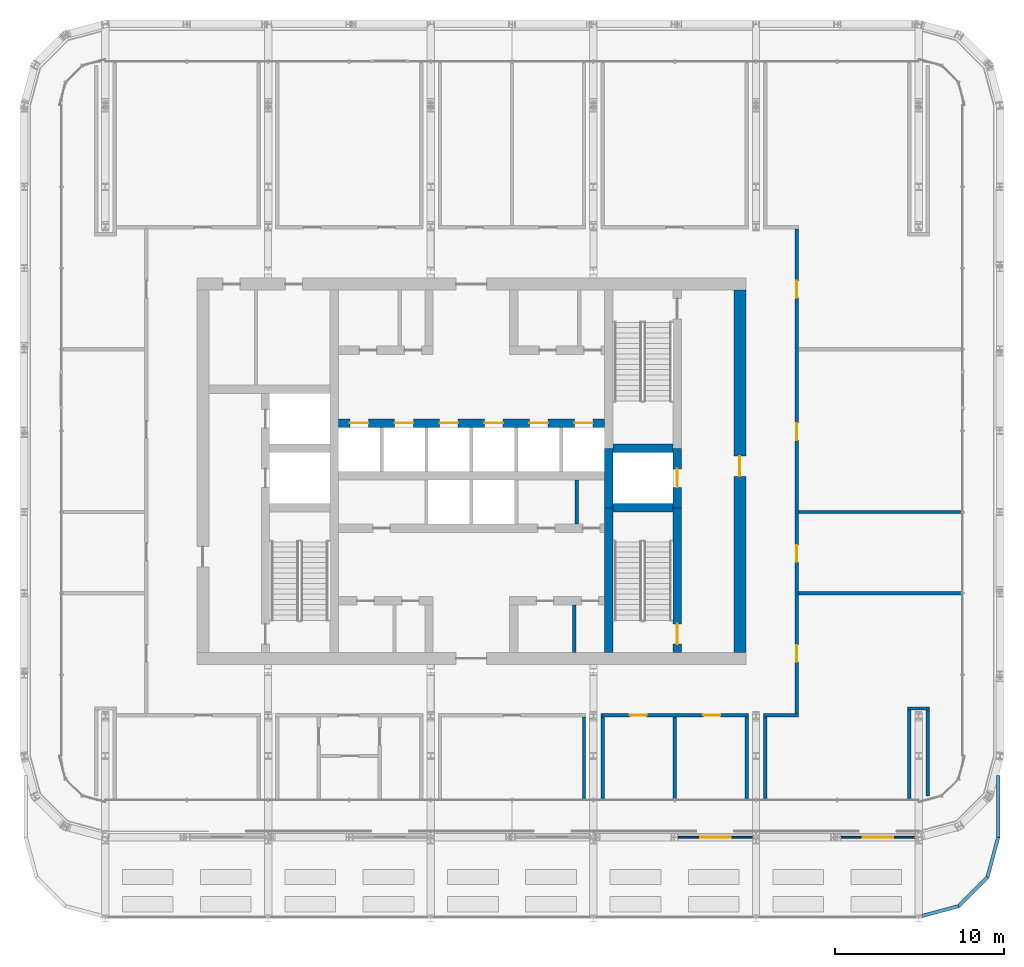
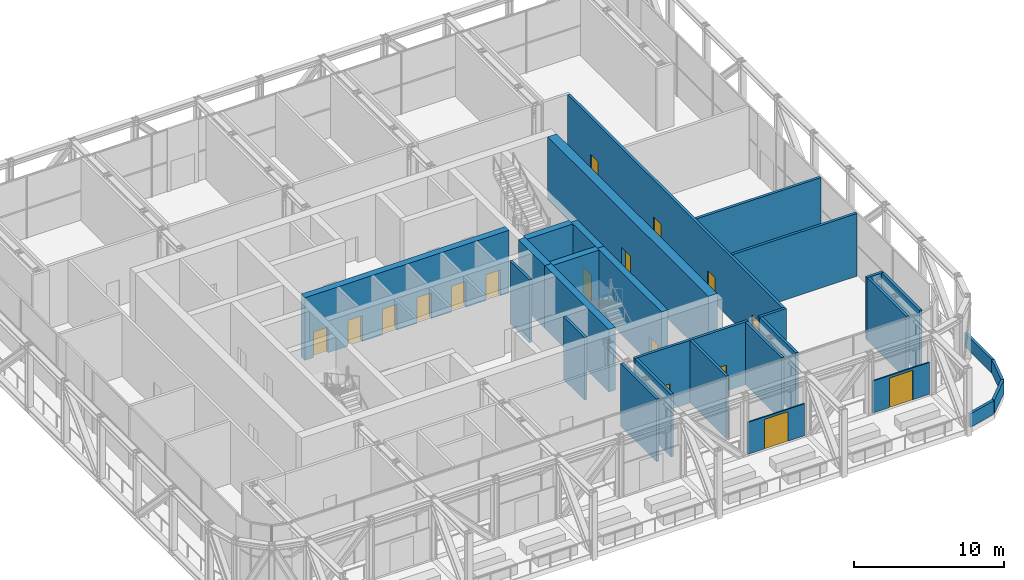
# One storey, part 15 of 22: 29 walls, 17 doors, 17 openings.
"""IFC4 building model written with IfcOpenShell, lengths in metres."""

from ifc_helpers import new_model, si_unit, direction, frame, frame_2d, origin, place, context, subcontext, project, spatial, rectangle, extrude, material, layer, layer_set, type_object, element, fill, save


model = new_model("IFC4")

# Units and contexts
model_context = context("Model", 3, precision=1e-05, world=origin(), true_north=direction((0.0, 1.0)))
body_context = subcontext(model_context, "Body", "Model", "MODEL_VIEW")
ifc_project = project(units=[si_unit("LENGTHUNIT", "METRE"), si_unit("AREAUNIT", "SQUARE_METRE"), si_unit("VOLUMEUNIT", "CUBIC_METRE"), si_unit("PLANEANGLEUNIT", "RADIAN"), si_unit("MASSUNIT", "GRAM", prefix="KILO")], contexts=[model_context])

# Site, building, storey
site_placement = place(None, origin())
site = spatial("IfcSite", under=ifc_project, at=site_placement, CompositionType="ELEMENT")
building_placement = place(site_placement, origin())
building = spatial("IfcBuilding", under=site, at=building_placement, Name="Madar Terraces", CompositionType="ELEMENT")
storey_placement = place(building_placement, frame((0.0, 0.0, 203.39990234375)))
storey = spatial("IfcBuildingStorey", under=building, at=storey_placement, Name="L53", CompositionType="ELEMENT", Elevation=203.39990234375)

# Walls
ifc_material_1 = material(Name="Concrete C60/75", Category="concrete")
ifc_layer_1 = layer(ifc_material_1, 0.5)
ifc_layer_set_1 = layer_set([ifc_layer_1], Name="Concrete C60/75 (CIW4 RC wall 500)")
wall_type_1 = type_object("IfcWallType", Name="CIW4 RC wall 500", PredefinedType="SHEAR", material=ifc_layer_set_1)
wall_1_placement = place(storey_placement, frame((39.300048828125, 15.699951171875, 0.0), z_axis=(0.0, 0.0, 1.0), x_axis=(0.0, 1.0, 0.0)))
element("IfcWall", 1, at=wall_1_placement, inside=storey, type_object=wall_type_1, Name="CORE SHAFT WALL", PredefinedType="SHEAR", context=body_context, shape_type="SweptSolid", body=[
    extrude(rectangle(XDim=8.550048828125, YDim=0.5, at=frame_2d((4.27490234375, 0.0))), origin(), (0.0, 0.0, 1.0), 5.10009765625),
])
wall_2_placement = place(storey_placement, frame((39.300048828125, 24.25, 0.0), z_axis=(0.0, 0.0, 1.0), x_axis=(0.0, 1.0, 0.0)))
element("IfcWall", 2, at=wall_2_placement, inside=storey, type_object=wall_type_1, Name="CORE SHAFT WALL", PredefinedType="SHEAR", context=body_context, shape_type="SweptSolid", body=[
    extrude(rectangle(XDim=3.5, YDim=0.5, at=frame_2d((1.75, 0.0))), origin(), (0.0, 0.0, 1.0), 5.10009765625),
])

# Wall, opening, door
wall_3_placement = place(storey_placement, frame((43.35009765625, 15.699951171875, 0.0), z_axis=(0.0, 0.0, 1.0), x_axis=(0.0, 1.0, 0.0)))
wall_3 = element("IfcWall", 3, at=wall_3_placement, inside=storey, type_object=wall_type_1, Name="CORE SHAFT WALL", PredefinedType="SHEAR", context=body_context, shape_type="SweptSolid", body=[
    extrude(rectangle(XDim=8.550048828125, YDim=0.5, at=frame_2d((4.27490234375, 0.0))), origin(), (0.0, 0.0, 1.0), 5.10009765625),
])
opening_1_placement = place(wall_3_placement, frame((0.5, 0.0, 0.0)))
opening_1 = element("IfcOpeningElement", 4, at=opening_1_placement, cuts=wall_3, Name="Opening SD1", PredefinedType="OPENING", context=body_context, shape_type="SweptSolid", body=[
    extrude(rectangle(XDim=1.199951171875, YDim=2.10009765625, at=frame_2d((0.60009765625, 1.050048828125))), frame((0.0, 0.260009765625, 0.0), z_axis=(0.0, -1.0, 0.0), x_axis=(1.0, 0.0, 0.0)), (0.0, 0.0, 1.0), 0.52001953125),
])
ifc_material_2 = material(Name="Steel door leaf", Category="steel")
door_type_1 = type_object("IfcDoorType", Name="Stair door 1200 x 2100", OperationType="NOTDEFINED", PredefinedType="DOOR", material=ifc_material_2)
door_1_placement = place(opening_1_placement, origin())
door_1 = element("IfcDoor", 5, at=door_1_placement, inside=storey, type_object=door_type_1, Name="STAIR DOOR", OperationType="SINGLE_SWING_RIGHT", OverallHeight=2.10009765625, OverallWidth=1.199951171875, PredefinedType="DOOR", context=body_context, shape_type="SweptSolid", body=[
    extrude(rectangle(XDim=1.199951171875, YDim=2.10009765625, at=frame_2d((0.60009765625, 1.050048828125))), frame((0.0, 0.02490234375, 0.0), z_axis=(0.0, -1.0, 0.0), x_axis=(1.0, 0.0, 0.0)), (0.0, 0.0, 1.0), 0.050048828125),
])
fill(opening_1, door_1)

wall_4_placement = place(storey_placement, frame((43.35009765625, 24.25, 0.0), z_axis=(0.0, 0.0, 1.0), x_axis=(0.0, 1.0, 0.0)))
wall_4 = element("IfcWall", 6, at=wall_4_placement, inside=storey, type_object=wall_type_1, Name="CORE SHAFT WALL", PredefinedType="SHEAR", context=body_context, shape_type="SweptSolid", body=[
    extrude(rectangle(XDim=3.5, YDim=0.5, at=frame_2d((1.75, 0.0))), origin(), (0.0, 0.0, 1.0), 5.10009765625),
])
opening_2_placement = place(wall_4_placement, frame((1.199951171875, 0.0, 0.0)))
opening_2 = element("IfcOpeningElement", 7, at=opening_2_placement, cuts=wall_4, Name="Opening LD", PredefinedType="OPENING", context=body_context, shape_type="SweptSolid", body=[
    extrude(rectangle(XDim=1.10009765625, YDim=2.10009765625, at=frame_2d((0.550048828125, 1.050048828125))), frame((0.0, 0.260009765625, 0.0), z_axis=(0.0, -1.0, 0.0), x_axis=(1.0, 0.0, 0.0)), (0.0, 0.0, 1.0), 0.52001953125),
])
ifc_material_3 = material(Name="Stainless steel panel", Category="steel")
door_type_2 = type_object("IfcDoorType", Name="Lift landing door 1100 x 2100", OperationType="DOUBLE_DOOR_SLIDING", PredefinedType="DOOR", material=ifc_material_3)
door_2_placement = place(opening_2_placement, origin())
door_2 = element("IfcDoor", 8, at=door_2_placement, inside=storey, type_object=door_type_2, Name="LIFT LANDING DOOR", OperationType="DOUBLE_DOOR_SLIDING", OverallHeight=2.10009765625, OverallWidth=1.10009765625, PredefinedType="DOOR", context=body_context, shape_type="SweptSolid", body=[
    extrude(rectangle(XDim=1.10009765625, YDim=2.10009765625, at=frame_2d((0.550048828125, 1.050048828125))), frame((0.0, 0.02490234375, 0.0), z_axis=(0.0, -1.0, 0.0), x_axis=(1.0, 0.0, 0.0)), (0.0, 0.0, 1.0), 0.050048828125),
])
fill(opening_2, door_2)

# Walls
for number, where, z_axis, x_axis, name in (
    (9, (39.550048828125, 24.25, 0.0), (0.0, 0.0, 1.0), (1.0, 0.0, 0.0), "CORE SHAFT WALL"),
    (10, (39.550048828125, 27.75, 0.0), (0.0, 0.0, 1.0), (1.0, 0.0, 0.0), "CORE SHAFT WALL"),
):
    element("IfcWall", number, at=place(storey_placement, frame(where, z_axis=z_axis, x_axis=x_axis)), inside=storey, type_object=wall_type_1, Name=name, PredefinedType="SHEAR", context=body_context, shape_type="SweptSolid", body=[
        extrude(rectangle(XDim=3.550048828125, YDim=0.5, at=frame_2d((1.77490234375, 0.0))), origin(), (0.0, 0.0, 1.0), 5.10009765625),
    ])

# Wall, openings, doors
wall_5_placement = place(storey_placement, frame((23.35009765625, 29.25, 0.0), z_axis=(0.0, 0.0, 1.0), x_axis=(1.0, 0.0, 0.0)))
wall_5 = element("IfcWall", 11, at=wall_5_placement, inside=storey, type_object=wall_type_1, Name="CORE SHAFT WALL", PredefinedType="SHEAR", context=body_context, shape_type="SweptSolid", body=[
    extrude(rectangle(XDim=15.699951171875, YDim=0.5, at=frame_2d((7.85009765625, 0.0))), origin(), (0.0, 0.0, 1.0), 5.10009765625),
])
opening_3_placement = place(wall_5_placement, frame((0.675048828125, 0.0, 0.0)))
opening_3 = element("IfcOpeningElement", 12, at=opening_3_placement, cuts=wall_5, Name="Opening LD", PredefinedType="OPENING", context=body_context, shape_type="SweptSolid", body=[
    extrude(rectangle(XDim=1.10009765625, YDim=2.10009765625, at=frame_2d((0.550048828125, 1.050048828125))), frame((0.0, 0.260009765625, 0.0), z_axis=(0.0, -1.0, 0.0), x_axis=(1.0, 0.0, 0.0)), (0.0, 0.0, 1.0), 0.52001953125),
])
opening_4_placement = place(wall_5_placement, frame((3.324951171875, 0.0, 0.0)))
opening_4 = element("IfcOpeningElement", 13, at=opening_4_placement, cuts=wall_5, Name="Opening LD", PredefinedType="OPENING", context=body_context, shape_type="SweptSolid", body=[
    extrude(rectangle(XDim=1.10009765625, YDim=2.10009765625, at=frame_2d((0.550048828125, 1.050048828125))), frame((0.0, 0.260009765625, 0.0), z_axis=(0.0, -1.0, 0.0), x_axis=(1.0, 0.0, 0.0)), (0.0, 0.0, 1.0), 0.52001953125),
])
opening_5_placement = place(wall_5_placement, frame((5.97509765625, 0.0, 0.0)))
opening_5 = element("IfcOpeningElement", 14, at=opening_5_placement, cuts=wall_5, Name="Opening LD", PredefinedType="OPENING", context=body_context, shape_type="SweptSolid", body=[
    extrude(rectangle(XDim=1.10009765625, YDim=2.10009765625, at=frame_2d((0.550048828125, 1.050048828125))), frame((0.0, 0.260009765625, 0.0), z_axis=(0.0, -1.0, 0.0), x_axis=(1.0, 0.0, 0.0)), (0.0, 0.0, 1.0), 0.52001953125),
])
opening_6_placement = place(wall_5_placement, frame((8.625, 0.0, 0.0)))
opening_6 = element("IfcOpeningElement", 15, at=opening_6_placement, cuts=wall_5, Name="Opening LD", PredefinedType="OPENING", context=body_context, shape_type="SweptSolid", body=[
    extrude(rectangle(XDim=1.10009765625, YDim=2.10009765625, at=frame_2d((0.550048828125, 1.050048828125))), frame((0.0, 0.260009765625, 0.0), z_axis=(0.0, -1.0, 0.0), x_axis=(1.0, 0.0, 0.0)), (0.0, 0.0, 1.0), 0.52001953125),
])
opening_7_placement = place(wall_5_placement, frame((11.27490234375, 0.0, 0.0)))
opening_7 = element("IfcOpeningElement", 16, at=opening_7_placement, cuts=wall_5, Name="Opening LD", PredefinedType="OPENING", context=body_context, shape_type="SweptSolid", body=[
    extrude(rectangle(XDim=1.10009765625, YDim=2.10009765625, at=frame_2d((0.550048828125, 1.050048828125))), frame((0.0, 0.260009765625, 0.0), z_axis=(0.0, -1.0, 0.0), x_axis=(1.0, 0.0, 0.0)), (0.0, 0.0, 1.0), 0.52001953125),
])
opening_8_placement = place(wall_5_placement, frame((13.925048828125, 0.0, 0.0)))
opening_8 = element("IfcOpeningElement", 17, at=opening_8_placement, cuts=wall_5, Name="Opening LD", PredefinedType="OPENING", context=body_context, shape_type="SweptSolid", body=[
    extrude(rectangle(XDim=1.10009765625, YDim=2.10009765625, at=frame_2d((0.550048828125, 1.050048828125))), frame((0.0, 0.260009765625, 0.0), z_axis=(0.0, -1.0, 0.0), x_axis=(1.0, 0.0, 0.0)), (0.0, 0.0, 1.0), 0.52001953125),
])
door_3_placement = place(opening_3_placement, origin())
door_3 = element("IfcDoor", 18, at=door_3_placement, inside=storey, type_object=door_type_2, Name="LIFT LANDING DOOR", OperationType="DOUBLE_DOOR_SLIDING", OverallHeight=2.10009765625, OverallWidth=1.10009765625, PredefinedType="DOOR", context=body_context, shape_type="SweptSolid", body=[
    extrude(rectangle(XDim=1.10009765625, YDim=2.10009765625, at=frame_2d((0.550048828125, 1.050048828125))), frame((0.0, 0.02490234375, 0.0), z_axis=(0.0, -1.0, 0.0), x_axis=(1.0, 0.0, 0.0)), (0.0, 0.0, 1.0), 0.050048828125),
])
fill(opening_3, door_3)
door_4_placement = place(opening_4_placement, origin())
door_4 = element("IfcDoor", 19, at=door_4_placement, inside=storey, type_object=door_type_2, Name="LIFT LANDING DOOR", OperationType="DOUBLE_DOOR_SLIDING", OverallHeight=2.10009765625, OverallWidth=1.10009765625, PredefinedType="DOOR", context=body_context, shape_type="SweptSolid", body=[
    extrude(rectangle(XDim=1.10009765625, YDim=2.10009765625, at=frame_2d((0.550048828125, 1.050048828125))), frame((0.0, 0.02490234375, 0.0), z_axis=(0.0, -1.0, 0.0), x_axis=(1.0, 0.0, 0.0)), (0.0, 0.0, 1.0), 0.050048828125),
])
fill(opening_4, door_4)
door_5_placement = place(opening_5_placement, origin())
door_5 = element("IfcDoor", 20, at=door_5_placement, inside=storey, type_object=door_type_2, Name="LIFT LANDING DOOR", OperationType="DOUBLE_DOOR_SLIDING", OverallHeight=2.10009765625, OverallWidth=1.10009765625, PredefinedType="DOOR", context=body_context, shape_type="SweptSolid", body=[
    extrude(rectangle(XDim=1.10009765625, YDim=2.10009765625, at=frame_2d((0.550048828125, 1.050048828125))), frame((0.0, 0.02490234375, 0.0), z_axis=(0.0, -1.0, 0.0), x_axis=(1.0, 0.0, 0.0)), (0.0, 0.0, 1.0), 0.050048828125),
])
fill(opening_5, door_5)
door_6_placement = place(opening_6_placement, origin())
door_6 = element("IfcDoor", 21, at=door_6_placement, inside=storey, type_object=door_type_2, Name="LIFT LANDING DOOR", OperationType="DOUBLE_DOOR_SLIDING", OverallHeight=2.10009765625, OverallWidth=1.10009765625, PredefinedType="DOOR", context=body_context, shape_type="SweptSolid", body=[
    extrude(rectangle(XDim=1.10009765625, YDim=2.10009765625, at=frame_2d((0.550048828125, 1.050048828125))), frame((0.0, 0.02490234375, 0.0), z_axis=(0.0, -1.0, 0.0), x_axis=(1.0, 0.0, 0.0)), (0.0, 0.0, 1.0), 0.050048828125),
])
fill(opening_6, door_6)
door_7_placement = place(opening_7_placement, origin())
door_7 = element("IfcDoor", 22, at=door_7_placement, inside=storey, type_object=door_type_2, Name="LIFT LANDING DOOR", OperationType="DOUBLE_DOOR_SLIDING", OverallHeight=2.10009765625, OverallWidth=1.10009765625, PredefinedType="DOOR", context=body_context, shape_type="SweptSolid", body=[
    extrude(rectangle(XDim=1.10009765625, YDim=2.10009765625, at=frame_2d((0.550048828125, 1.050048828125))), frame((0.0, 0.02490234375, 0.0), z_axis=(0.0, -1.0, 0.0), x_axis=(1.0, 0.0, 0.0)), (0.0, 0.0, 1.0), 0.050048828125),
])
fill(opening_7, door_7)
door_8_placement = place(opening_8_placement, origin())
door_8 = element("IfcDoor", 23, at=door_8_placement, inside=storey, type_object=door_type_2, Name="LIFT LANDING DOOR", OperationType="DOUBLE_DOOR_SLIDING", OverallHeight=2.10009765625, OverallWidth=1.10009765625, PredefinedType="DOOR", context=body_context, shape_type="SweptSolid", body=[
    extrude(rectangle(XDim=1.10009765625, YDim=2.10009765625, at=frame_2d((0.550048828125, 1.050048828125))), frame((0.0, 0.02490234375, 0.0), z_axis=(0.0, -1.0, 0.0), x_axis=(1.0, 0.0, 0.0)), (0.0, 0.0, 1.0), 0.050048828125),
])
fill(opening_8, door_8)

# Wall, opening, door
ifc_material_4 = material(Name="Concrete C60/75", Category="concrete")
ifc_layer_2 = layer(ifc_material_4, 0.699951171875)
ifc_layer_set_2 = layer_set([ifc_layer_2], Name="Concrete C60/75 (CRW4 RC wall 700)")
wall_type_2 = type_object("IfcWallType", Name="CRW4 RC wall 700", PredefinedType="SHEAR", material=ifc_layer_set_2)
wall_6_placement = place(storey_placement, frame((47.050048828125, 15.699951171875, 0.0), z_axis=(0.0, 0.0, 1.0), x_axis=(0.0, 1.0, 0.0)))
wall_6 = element("IfcWall", 24, at=wall_6_placement, inside=storey, type_object=wall_type_2, Name="CORE OUTER WALL", PredefinedType="SHEAR", context=body_context, shape_type="SweptSolid", body=[
    extrude(rectangle(XDim=21.400146484375, YDim=0.699951171875, at=frame_2d((10.7001953125, 0.0))), origin(), (0.0, 0.0, 1.0), 5.10009765625),
])
opening_9_placement = place(wall_6_placement, frame((10.39990234375, 0.0, 0.0)))
opening_9 = element("IfcOpeningElement", 25, at=opening_9_placement, cuts=wall_6, Name="Opening SD1", PredefinedType="OPENING", context=body_context, shape_type="SweptSolid", body=[
    extrude(rectangle(XDim=1.199951171875, YDim=2.10009765625, at=frame_2d((0.60009765625, 1.050048828125))), frame((0.0, 0.35986328125, 0.0), z_axis=(0.0, -1.0, 0.0), x_axis=(1.0, 0.0, 0.0)), (0.0, 0.0, 1.0), 0.719970703125),
])
door_9_placement = place(opening_9_placement, origin())
door_9 = element("IfcDoor", 26, at=door_9_placement, inside=storey, type_object=door_type_1, Name="STAIR DOOR", OperationType="SINGLE_SWING_LEFT", OverallHeight=2.10009765625, OverallWidth=1.199951171875, PredefinedType="DOOR", context=body_context, shape_type="SweptSolid", body=[
    extrude(rectangle(XDim=1.199951171875, YDim=2.10009765625, at=frame_2d((0.60009765625, 1.050048828125))), frame((0.0, 0.02490234375, 0.0), z_axis=(0.0, -1.0, 0.0), x_axis=(1.0, 0.0, 0.0)), (0.0, 0.0, 1.0), 0.050048828125),
])
fill(opening_9, door_9)

# Walls
ifc_material_5 = material(Name="Masonry blockwork", Category="masonry")
ifc_layer_3 = layer(ifc_material_5, 0.199951171875)
ifc_layer_set_3 = layer_set([ifc_layer_3], Name="Core partition 200 blockwork")
wall_type_3 = type_object("IfcWallType", Name="Core partition 200 blockwork", PredefinedType="PARTITIONING", material=ifc_layer_set_3)
wall_7_placement = place(storey_placement, frame((37.41796875, 23.300048828125, 0.0), z_axis=(0.0, 0.0, 1.0), x_axis=(0.0, 1.0, 0.0)))
element("IfcWall", 27, at=wall_7_placement, inside=storey, type_object=wall_type_3, Name="SERVICE ROOM PARTITION", PredefinedType="PARTITIONING", context=body_context, shape_type="SweptSolid", body=[
    extrude(rectangle(XDim=2.599853515625, YDim=0.199951171875, at=frame_2d((1.2998046875, 0.0))), origin(), (0.0, 0.0, 1.0), 5.10009765625),
])
wall_8_placement = place(storey_placement, frame((37.264892578125, 15.699951171875, 0.0), z_axis=(0.0, 0.0, 1.0), x_axis=(0.0, 1.0, 0.0)))
element("IfcWall", 28, at=wall_8_placement, inside=storey, type_object=wall_type_3, Name="SERVICE ROOM PARTITION", PredefinedType="PARTITIONING", context=body_context, shape_type="SweptSolid", body=[
    extrude(rectangle(XDim=2.800048828125, YDim=0.199951171875, at=frame_2d((1.39990234375, 0.0))), origin(), (0.0, 0.0, 1.0), 5.10009765625),
])

# Wall, openings, doors
ifc_material_6 = material(Name="Gypsum board partition, fire-rated")
ifc_layer_4 = layer(ifc_material_6, 0.199951171875)
ifc_layer_set_4 = layer_set([ifc_layer_4], Name="Partition 200 EI 60")
wall_type_4 = type_object("IfcWallType", Name="Partition 200 EI 60", PredefinedType="PARTITIONING", material=ifc_layer_set_4)
wall_9_placement = place(storey_placement, frame((47.550048828125, 12.0, 0.0), z_axis=(0.0, 0.0, 1.0), x_axis=(-1.0, 0.0, 0.0)))
wall_9 = element("IfcWall", 29, at=wall_9_placement, inside=storey, type_object=wall_type_4, Name="Wall CRAFT ROOM + OFFICE", PredefinedType="PARTITIONING", context=body_context, shape_type="SweptSolid", body=[
    extrude(rectangle(XDim=8.699951171875, YDim=0.199951171875, at=frame_2d((4.35009765625, 0.0))), origin(), (0.0, 0.0, 1.0), 5.10009765625),
])
opening_10_placement = place(wall_9_placement, frame((6.0, 0.0, 0.0)))
opening_10 = element("IfcOpeningElement", 30, at=opening_10_placement, cuts=wall_9, Name="Opening D31", PredefinedType="OPENING", context=body_context, shape_type="SweptSolid", body=[
    extrude(rectangle(XDim=1.0, YDim=2.10009765625, at=frame_2d((0.5, 1.050048828125))), frame((0.0, 0.10986328125, 0.0), z_axis=(0.0, -1.0, 0.0), x_axis=(1.0, 0.0, 0.0)), (0.0, 0.0, 1.0), 0.219970703125),
])
opening_11_placement = place(wall_9_placement, frame((1.64990234375, 0.0, 0.0)))
opening_11 = element("IfcOpeningElement", 31, at=opening_11_placement, cuts=wall_9, Name="Opening D31", PredefinedType="OPENING", context=body_context, shape_type="SweptSolid", body=[
    extrude(rectangle(XDim=1.0, YDim=2.10009765625, at=frame_2d((0.5, 1.050048828125))), frame((0.0, 0.10986328125, 0.0), z_axis=(0.0, -1.0, 0.0), x_axis=(1.0, 0.0, 0.0)), (0.0, 0.0, 1.0), 0.219970703125),
])
ifc_material_7 = material(Name="Timber door leaf, fire-rated", Category="wood")
door_type_3 = type_object("IfcDoorType", Name="Podium door 1000 x 2100 FD30S", OperationType="NOTDEFINED", PredefinedType="DOOR", material=ifc_material_7)
door_10_placement = place(opening_10_placement, origin())
door_10 = element("IfcDoor", 32, at=door_10_placement, inside=storey, type_object=door_type_3, Name="Door CRAFT ROOM / RING CORRIDOR", OperationType="SINGLE_SWING_LEFT", OverallHeight=2.10009765625, OverallWidth=1.0, PredefinedType="DOOR", context=body_context, shape_type="SweptSolid", body=[
    extrude(rectangle(XDim=1.0, YDim=2.10009765625, at=frame_2d((0.5, 1.050048828125))), frame((0.0, 0.02490234375, 0.0), z_axis=(0.0, -1.0, 0.0), x_axis=(1.0, 0.0, 0.0)), (0.0, 0.0, 1.0), 0.050048828125),
])
fill(opening_10, door_10)
door_11_placement = place(opening_11_placement, origin())
door_11 = element("IfcDoor", 33, at=door_11_placement, inside=storey, type_object=door_type_3, Name="Door OFFICE / RING CORRIDOR", OperationType="SINGLE_SWING_LEFT", OverallHeight=2.10009765625, OverallWidth=1.0, PredefinedType="DOOR", context=body_context, shape_type="SweptSolid", body=[
    extrude(rectangle(XDim=1.0, YDim=2.10009765625, at=frame_2d((0.5, 1.050048828125))), frame((0.0, 0.02490234375, 0.0), z_axis=(0.0, -1.0, 0.0), x_axis=(1.0, 0.0, 0.0)), (0.0, 0.0, 1.0), 0.050048828125),
])
fill(opening_11, door_11)

# Walls
wall_10_placement = place(storey_placement, frame((48.449951171875, 12.0, 0.0), z_axis=(0.0, 0.0, 1.0), x_axis=(1.0, 0.0, 0.0)))
element("IfcWall", 34, at=wall_10_placement, inside=storey, type_object=wall_type_4, Name="Wall YOUTH ROOM / RING CORRIDOR", PredefinedType="PARTITIONING", context=body_context, shape_type="SweptSolid", body=[
    extrude(rectangle(XDim=2.050048828125, YDim=0.199951171875, at=frame_2d((1.02490234375, 0.0))), origin(), (0.0, 0.0, 1.0), 5.10009765625),
])
for number, where, z_axis, x_axis, name in (
    (35, (50.5, 19.199951171875, 0.0), (0.0, 0.0, 1.0), (1.0, 0.0, 0.0), "Wall YOUTH ROOM / GAMES ROOM"),
    (36, (50.5, 24.0, 0.0), (0.0, 0.0, 1.0), (1.0, 0.0, 0.0), "Wall GAMES ROOM / LAUNDRETTE"),
):
    element("IfcWall", number, at=place(storey_placement, frame(where, z_axis=z_axis, x_axis=x_axis)), inside=storey, type_object=wall_type_4, Name=name, PredefinedType="PARTITIONING", context=body_context, shape_type="SweptSolid", body=[
        extrude(rectangle(XDim=9.60009765625, YDim=0.199951171875, at=frame_2d((4.800048828125, 0.0))), origin(), (0.0, 0.0, 1.0), 5.10009765625),
    ])
wall_11_placement = place(storey_placement, frame((43.199951171875, 7.10009765625, 0.0), z_axis=(0.0, 0.0, 1.0), x_axis=(0.0, 1.0, 0.0)))
element("IfcWall", 37, at=wall_11_placement, inside=storey, type_object=wall_type_4, Name="Wall CRAFT ROOM / OFFICE", PredefinedType="PARTITIONING", context=body_context, shape_type="SweptSolid", body=[
    extrude(rectangle(XDim=4.7998046875, YDim=0.199951171875, at=frame_2d((2.39990234375, 0.0))), origin(), (0.0, 0.0, 1.0), 5.10009765625),
])

# Wall, openings, doors
wall_12_placement = place(storey_placement, frame((50.39990234375, 40.699951171875, 0.0), z_axis=(0.0, 0.0, 1.0), x_axis=(0.0, -1.0, 0.0)))
wall_12 = element("IfcWall", 38, at=wall_12_placement, inside=storey, type_object=wall_type_4, Name="Wall ACTIVITY ROOM + GAMES ROOM", PredefinedType="PARTITIONING", context=body_context, shape_type="SweptSolid", body=[
    extrude(rectangle(XDim=28.599853515625, YDim=0.199951171875, at=frame_2d((14.2998046875, 0.0))), origin(), (0.0, 0.0, 1.0), 5.10009765625),
])
opening_12_placement = place(wall_12_placement, frame((24.550048828125, 0.0, 0.0)))
opening_12 = element("IfcOpeningElement", 39, at=opening_12_placement, cuts=wall_12, Name="Opening D31", PredefinedType="OPENING", context=body_context, shape_type="SweptSolid", body=[
    extrude(rectangle(XDim=1.0, YDim=2.10009765625, at=frame_2d((0.5, 1.050048828125))), frame((0.0, 0.10986328125, 0.0), z_axis=(0.0, -1.0, 0.0), x_axis=(1.0, 0.0, 0.0)), (0.0, 0.0, 1.0), 0.219970703125),
])
opening_13_placement = place(wall_12_placement, frame((18.64990234375, 0.0, 0.0)))
opening_13 = element("IfcOpeningElement", 40, at=opening_13_placement, cuts=wall_12, Name="Opening D31", PredefinedType="OPENING", context=body_context, shape_type="SweptSolid", body=[
    extrude(rectangle(XDim=1.0, YDim=2.10009765625, at=frame_2d((0.5, 1.050048828125))), frame((0.0, 0.10986328125, 0.0), z_axis=(0.0, -1.0, 0.0), x_axis=(1.0, 0.0, 0.0)), (0.0, 0.0, 1.0), 0.219970703125),
])
opening_14_placement = place(wall_12_placement, frame((11.449951171875, 0.0, 0.0)))
opening_14 = element("IfcOpeningElement", 41, at=opening_14_placement, cuts=wall_12, Name="Opening D31", PredefinedType="OPENING", context=body_context, shape_type="SweptSolid", body=[
    extrude(rectangle(XDim=1.0, YDim=2.10009765625, at=frame_2d((0.5, 1.050048828125))), frame((0.0, 0.10986328125, 0.0), z_axis=(0.0, -1.0, 0.0), x_axis=(1.0, 0.0, 0.0)), (0.0, 0.0, 1.0), 0.219970703125),
])
opening_15_placement = place(wall_12_placement, frame((3.050048828125, 0.0, 0.0)))
opening_15 = element("IfcOpeningElement", 42, at=opening_15_placement, cuts=wall_12, Name="Opening D31", PredefinedType="OPENING", context=body_context, shape_type="SweptSolid", body=[
    extrude(rectangle(XDim=1.0, YDim=2.10009765625, at=frame_2d((0.5, 1.050048828125))), frame((0.0, 0.10986328125, 0.0), z_axis=(0.0, -1.0, 0.0), x_axis=(1.0, 0.0, 0.0)), (0.0, 0.0, 1.0), 0.219970703125),
])
door_12_placement = place(opening_12_placement, origin())
door_12 = element("IfcDoor", 43, at=door_12_placement, inside=storey, type_object=door_type_3, Name="Door YOUTH ROOM / RING CORRIDOR", OperationType="SINGLE_SWING_RIGHT", OverallHeight=2.10009765625, OverallWidth=1.0, PredefinedType="DOOR", context=body_context, shape_type="SweptSolid", body=[
    extrude(rectangle(XDim=1.0, YDim=2.10009765625, at=frame_2d((0.5, 1.050048828125))), frame((0.0, 0.02490234375, 0.0), z_axis=(0.0, -1.0, 0.0), x_axis=(1.0, 0.0, 0.0)), (0.0, 0.0, 1.0), 0.050048828125),
])
fill(opening_12, door_12)
door_13_placement = place(opening_13_placement, origin())
door_13 = element("IfcDoor", 44, at=door_13_placement, inside=storey, type_object=door_type_3, Name="Door GAMES ROOM / RING CORRIDOR", OperationType="SINGLE_SWING_RIGHT", OverallHeight=2.10009765625, OverallWidth=1.0, PredefinedType="DOOR", context=body_context, shape_type="SweptSolid", body=[
    extrude(rectangle(XDim=1.0, YDim=2.10009765625, at=frame_2d((0.5, 1.050048828125))), frame((0.0, 0.02490234375, 0.0), z_axis=(0.0, -1.0, 0.0), x_axis=(1.0, 0.0, 0.0)), (0.0, 0.0, 1.0), 0.050048828125),
])
fill(opening_13, door_13)
door_14_placement = place(opening_14_placement, origin())
door_14 = element("IfcDoor", 45, at=door_14_placement, inside=storey, type_object=door_type_3, Name="Door LAUNDRETTE / RING CORRIDOR", OperationType="SINGLE_SWING_RIGHT", OverallHeight=2.10009765625, OverallWidth=1.0, PredefinedType="DOOR", context=body_context, shape_type="SweptSolid", body=[
    extrude(rectangle(XDim=1.0, YDim=2.10009765625, at=frame_2d((0.5, 1.050048828125))), frame((0.0, 0.02490234375, 0.0), z_axis=(0.0, -1.0, 0.0), x_axis=(1.0, 0.0, 0.0)), (0.0, 0.0, 1.0), 0.050048828125),
])
fill(opening_14, door_14)
door_15_placement = place(opening_15_placement, origin())
door_15 = element("IfcDoor", 46, at=door_15_placement, inside=storey, type_object=door_type_3, Name="Door ACTIVITY ROOM / RING CORRIDOR", OperationType="SINGLE_SWING_RIGHT", OverallHeight=2.10009765625, OverallWidth=1.0, PredefinedType="DOOR", context=body_context, shape_type="SweptSolid", body=[
    extrude(rectangle(XDim=1.0, YDim=2.10009765625, at=frame_2d((0.5, 1.050048828125))), frame((0.0, 0.02490234375, 0.0), z_axis=(0.0, -1.0, 0.0), x_axis=(1.0, 0.0, 0.0)), (0.0, 0.0, 1.0), 0.050048828125),
])
fill(opening_15, door_15)

# Walls
ifc_material_8 = material(Name="Gypsum board partition on metal studs")
ifc_layer_5 = layer(ifc_material_8, 0.199951171875)
ifc_layer_set_5 = layer_set([ifc_layer_5], Name="Partition 200 plain")
wall_type_5 = type_object("IfcWallType", Name="Partition 200 plain", PredefinedType="PARTITIONING", material=ifc_layer_set_5)
wall_13_placement = place(storey_placement, frame((56.949951171875, 12.39990234375, 0.0), z_axis=(0.0, 0.0, 1.0), x_axis=(1.0, 0.0, 0.0)))
element("IfcWall", 47, at=wall_13_placement, inside=storey, type_object=wall_type_5, Name="Wall YOUTH ROOM / TRUSS SLOT", PredefinedType="PARTITIONING", context=body_context, shape_type="SweptSolid", body=[
    extrude(rectangle(XDim=1.300048828125, YDim=0.199951171875, at=frame_2d((0.64990234375, 0.0))), origin(), (0.0, 0.0, 1.0), 5.10009765625),
])
for number, where, z_axis, x_axis, name in (
    (48, (37.85009765625, 7.10009765625, 0.0), (0.0, 0.0, 1.0), (0.0, 1.0, 0.0), "Wall CLASSROOM / TRUSS SLOT"),
    (49, (38.949951171875, 7.10009765625, 0.0), (0.0, 0.0, 1.0), (0.0, 1.0, 0.0), "Wall CRAFT ROOM / TRUSS SLOT"),
    (50, (47.449951171875, 7.10009765625, 0.0), (0.0, 0.0, 1.0), (0.0, 1.0, 0.0), "Wall OFFICE / TRUSS SLOT"),
    (51, (48.550048828125, 7.10009765625, 0.0), (0.0, 0.0, 1.0), (0.0, 1.0, 0.0), "Wall YOUTH ROOM / TRUSS SLOT"),
):
    element("IfcWall", number, at=place(storey_placement, frame(where, z_axis=z_axis, x_axis=x_axis)), inside=storey, type_object=wall_type_5, Name=name, PredefinedType="PARTITIONING", context=body_context, shape_type="SweptSolid", body=[
        extrude(rectangle(XDim=4.7998046875, YDim=0.199951171875, at=frame_2d((2.39990234375, 0.0))), origin(), (0.0, 0.0, 1.0), 5.10009765625),
    ])
wall_14_placement = place(storey_placement, frame((57.050048828125, 7.10009765625, 0.0), z_axis=(0.0, 0.0, 1.0), x_axis=(0.0, 1.0, 0.0)))
element("IfcWall", 52, at=wall_14_placement, inside=storey, type_object=wall_type_5, Name="Wall YOUTH ROOM / TRUSS SLOT", PredefinedType="PARTITIONING", context=body_context, shape_type="SweptSolid", body=[
    extrude(rectangle(XDim=5.199951171875, YDim=0.199951171875, at=frame_2d((2.60009765625, 0.0))), origin(), (0.0, 0.0, 1.0), 5.10009765625),
])
wall_15_placement = place(storey_placement, frame((58.14990234375, 7.25, 0.0), z_axis=(0.0, 0.0, 1.0), x_axis=(0.0, 1.0, 0.0)))
element("IfcWall", 53, at=wall_15_placement, inside=storey, type_object=wall_type_5, Name="Wall YOUTH ROOM / TRUSS SLOT", PredefinedType="PARTITIONING", context=body_context, shape_type="SweptSolid", body=[
    extrude(rectangle(XDim=5.050048828125, YDim=0.199951171875, at=frame_2d((2.52490234375, 0.0))), origin(), (0.0, 0.0, 1.0), 5.10009765625),
])
ifc_material_9 = material(Name="Concrete C40/50", Category="concrete")
ifc_layer_6 = layer(ifc_material_9, 0.199951171875)
ifc_layer_set_6 = layer_set([ifc_layer_6], Name="Roof parapet 200")
wall_type_6 = type_object("IfcWallType", Name="Roof parapet 200", PredefinedType="PARAPET", material=ifc_layer_set_6)
wall_16_placement = place(storey_placement, frame((57.790771484375, 0.151123046875, 0.0400390625), z_axis=(0.0, 0.0, 1.0), x_axis=(0.965918799372, 0.258845268489, 0.0)))
element("IfcWall", 54, at=wall_16_placement, inside=storey, type_object=wall_type_6, Name="Roof parapet", PredefinedType="PARAPET", context=body_context, shape_type="SweptSolid", body=[
    extrude(rectangle(XDim=2.2353515625, YDim=0.199951171875, at=frame_2d((1.11767578125, 0.0))), origin(), (0.0, 0.0, 1.0), 1.10009765625),
])
for number, where, z_axis, x_axis, name in (
    (55, (59.949951171875, 0.729736328125, 0.0400390625), (0.0, 0.0, 1.0), (0.707156953733, 0.70705660508, 0.0), "Roof parapet"),
    (56, (61.67041015625, 2.449951171875, 0.0400390625), (0.0, 0.0, 1.0), (0.258792930722, 0.965932823238, 0.0), "Roof parapet"),
):
    element("IfcWall", number, at=place(storey_placement, frame(where, z_axis=z_axis, x_axis=x_axis)), inside=storey, type_object=wall_type_6, Name=name, PredefinedType="PARAPET", context=body_context, shape_type="SweptSolid", body=[
        extrude(rectangle(XDim=2.432861328125, YDim=0.199951171875, at=frame_2d((1.21630859375, 0.0))), origin(), (0.0, 0.0, 1.0), 1.10009765625),
    ])
wall_17_placement = place(storey_placement, frame((62.300048828125, 4.800048828125, 0.0400390625), z_axis=(0.0, 0.0, 1.0), x_axis=(0.0, 1.0, 0.0)))
element("IfcWall", 57, at=wall_17_placement, inside=storey, type_object=wall_type_6, Name="Roof parapet", PredefinedType="PARAPET", context=body_context, shape_type="SweptSolid", body=[
    extrude(rectangle(XDim=3.654541015625, YDim=0.199951171875, at=frame_2d((1.8271484375, 0.0))), origin(), (0.0, 0.0, 1.0), 1.10009765625),
])

# Wall, opening, door
ifc_material_10 = material(Name="Steel S355, powder-coated", Category="steel")
ifc_layer_7 = layer(ifc_material_10, 0.10009765625)
ifc_layer_set_7 = layer_set([ifc_layer_7], Name="Terrace gate frame 100")
wall_type_7 = type_object("IfcWallType", Name="Terrace gate frame 100", PredefinedType="SOLIDWALL", material=ifc_layer_set_7)
wall_18_placement = place(storey_placement, frame((47.787841796875, 4.800048828125, 0.044921875), z_axis=(0.0, 0.0, 1.0), x_axis=(-1.0, 0.0, 0.0)))
wall_18 = element("IfcWall", 58, at=wall_18_placement, inside=storey, type_object=wall_type_7, Name="Terrace gate frame", PredefinedType="SOLIDWALL", context=body_context, shape_type="SweptSolid", body=[
    extrude(rectangle(XDim=4.375732421875, YDim=0.10009765625, at=frame_2d((2.18798828125, 0.0))), origin(), (0.0, 0.0, 1.0), 2.60009765625),
])
opening_16_placement = place(wall_18_placement, frame((1.287841796875, 0.0, 0.0)))
opening_16 = element("IfcOpeningElement", 59, at=opening_16_placement, cuts=wall_18, Name="Opening ED9", PredefinedType="OPENING", context=body_context, shape_type="SweptSolid", body=[
    extrude(rectangle(XDim=1.800048828125, YDim=2.39990234375, at=frame_2d((0.89990234375, 1.199951171875))), frame((0.0, 0.06005859375, 0.0), z_axis=(0.0, -1.0, 0.0), x_axis=(1.0, 0.0, 0.0)), (0.0, 0.0, 1.0), 0.1201171875),
])
ifc_material_11 = material(Name="Steel, powder-coated, with safety glazing", Category="steel")
door_type_4 = type_object("IfcDoorType", Name="Terrace gate door 1800 x 2400", OperationType="NOTDEFINED", PredefinedType="DOOR", material=ifc_material_11)
door_16_placement = place(opening_16_placement, origin())
door_16 = element("IfcDoor", 60, at=door_16_placement, inside=storey, type_object=door_type_4, Name="Terrace gate", OperationType="DOUBLE_DOOR_SINGLE_SWING", OverallHeight=2.39990234375, OverallWidth=1.800048828125, PredefinedType="DOOR", context=body_context, shape_type="SweptSolid", body=[
    extrude(rectangle(XDim=1.800048828125, YDim=2.39990234375, at=frame_2d((0.89990234375, 1.199951171875))), frame((0.0, 0.02490234375, 0.0), z_axis=(0.0, -1.0, 0.0), x_axis=(1.0, 0.0, 0.0)), (0.0, 0.0, 1.0), 0.050048828125),
])
fill(opening_16, door_16)

wall_19_placement = place(storey_placement, frame((57.387939453125, 4.800048828125, 0.044921875), z_axis=(0.0, 0.0, 1.0), x_axis=(-1.0, 0.0, 0.0)))
wall_19 = element("IfcWall", 61, at=wall_19_placement, inside=storey, type_object=wall_type_7, Name="Terrace gate frame", PredefinedType="SOLIDWALL", context=body_context, shape_type="SweptSolid", body=[
    extrude(rectangle(XDim=4.375732421875, YDim=0.10009765625, at=frame_2d((2.18798828125, 0.0))), origin(), (0.0, 0.0, 1.0), 2.60009765625),
])
opening_17_placement = place(wall_19_placement, frame((1.287841796875, 0.0, 0.0)))
opening_17 = element("IfcOpeningElement", 62, at=opening_17_placement, cuts=wall_19, Name="Opening ED9", PredefinedType="OPENING", context=body_context, shape_type="SweptSolid", body=[
    extrude(rectangle(XDim=1.800048828125, YDim=2.39990234375, at=frame_2d((0.89990234375, 1.199951171875))), frame((0.0, 0.06005859375, 0.0), z_axis=(0.0, -1.0, 0.0), x_axis=(1.0, 0.0, 0.0)), (0.0, 0.0, 1.0), 0.1201171875),
])
door_17_placement = place(opening_17_placement, origin())
door_17 = element("IfcDoor", 63, at=door_17_placement, inside=storey, type_object=door_type_4, Name="Terrace gate", OperationType="DOUBLE_DOOR_SINGLE_SWING", OverallHeight=2.39990234375, OverallWidth=1.800048828125, PredefinedType="DOOR", context=body_context, shape_type="SweptSolid", body=[
    extrude(rectangle(XDim=1.800048828125, YDim=2.39990234375, at=frame_2d((0.89990234375, 1.199951171875))), frame((0.0, 0.02490234375, 0.0), z_axis=(0.0, -1.0, 0.0), x_axis=(1.0, 0.0, 0.0)), (0.0, 0.0, 1.0), 0.050048828125),
])
fill(opening_17, door_17)

save(model, "model.ifc")
